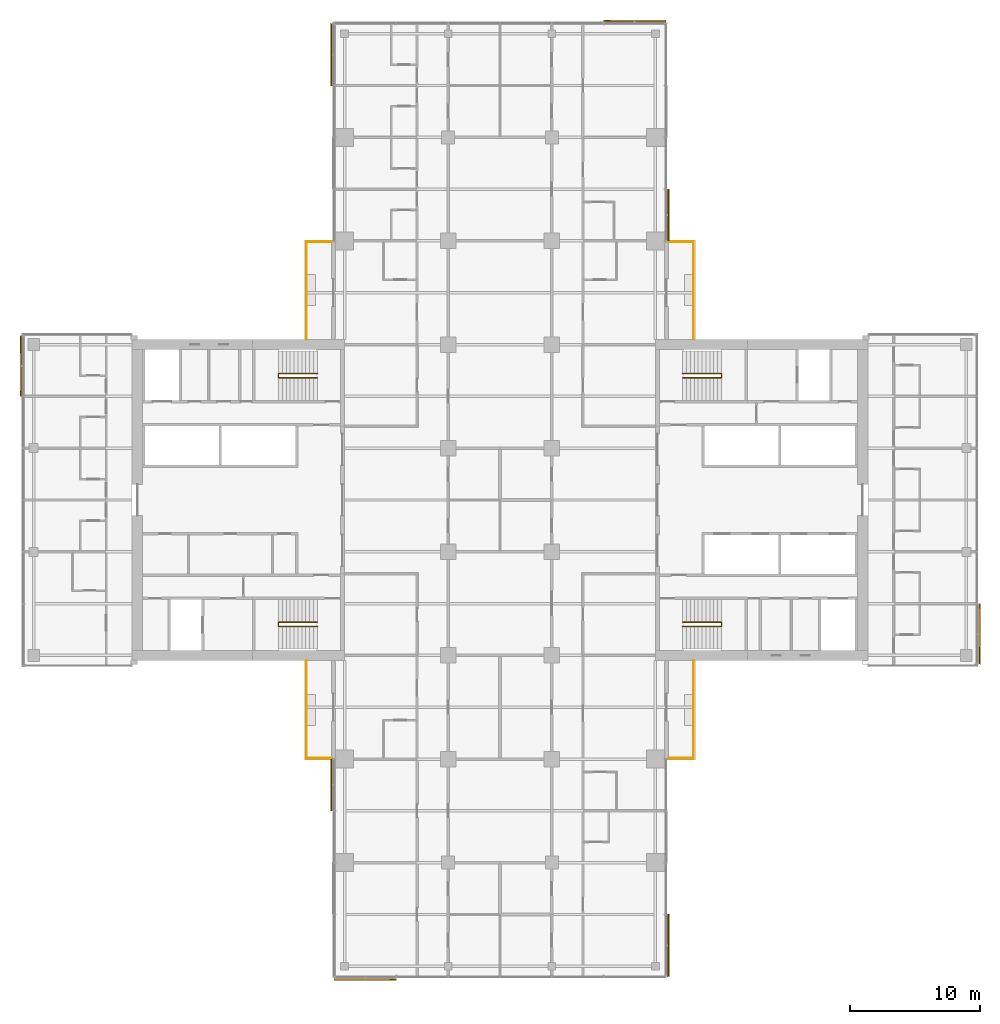
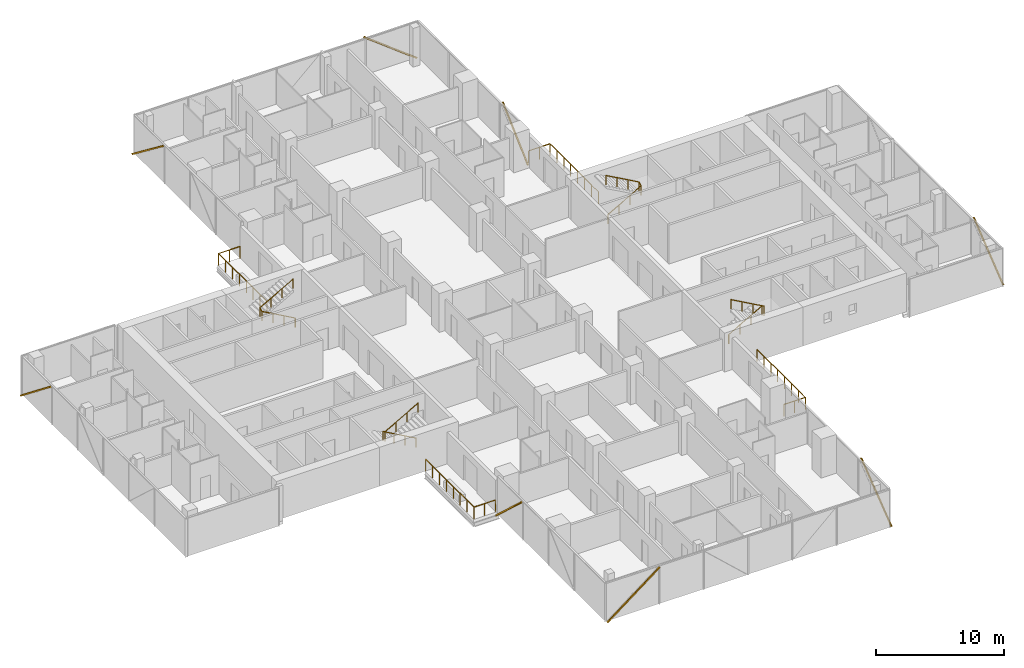
# One storey, part 27 of 27: 8 railings, 8 shading devices, 8 elements without a shape of their own.
"""IFC4 building model written with IfcOpenShell, lengths in metres."""

from ifc_helpers import new_model, si_unit, direction, frame, origin, origin_2d, place, context, subcontext, project, spatial, rectangle, circle, extrude, material, material_profile, profile_set, type_object, element, aggregate, save


model = new_model("IFC4")

# Units and contexts
model_context = context("Model", 3, precision=1e-05, world=origin(), true_north=direction((0.0, 1.0)))
body_context = subcontext(model_context, "Body", "Model", "MODEL_VIEW")
ifc_project = project(units=[si_unit("LENGTHUNIT", "METRE"), si_unit("AREAUNIT", "SQUARE_METRE"), si_unit("VOLUMEUNIT", "CUBIC_METRE"), si_unit("PLANEANGLEUNIT", "RADIAN"), si_unit("MASSUNIT", "GRAM", prefix="KILO")], contexts=[model_context])

# Site, building, storey
site_placement = place(None, origin())
site = spatial("IfcSite", under=ifc_project, at=site_placement, CompositionType="ELEMENT")
building_placement = place(site_placement, origin())
building = spatial("IfcBuilding", under=site, at=building_placement, Name="Crosswind Convention Tower", CompositionType="ELEMENT")
storey_placement = place(building_placement, frame((0.0, 0.0, 86.800048828125)))
storey = spatial("IfcBuildingStorey", under=building, at=storey_placement, Name="L16", CompositionType="ELEMENT", Elevation=86.800048828125)

# Railings
ifc_material_1 = material(Name="Steel and laminated glass balustrade", Category="steel")
railing_type_1 = type_object("IfcRailingType", Name="BALCONY BALUSTRADE 1150", PredefinedType="BALUSTRADE", material=ifc_material_1)
railing_1_placement = place(storey_placement, frame((139.93994140625, 112.39990234375, 0.0)))
element("IfcRailing", 1, at=railing_1_placement, inside=storey, type_object=railing_type_1, Name="R11 balcony balustrade L16 N-E.1-1", PredefinedType="BALUSTRADE", context=body_context, shape_type="SweptSolid", body=[
    extrude(circle(Radius=0.02392578125, at=origin_2d()), frame((0.0, 0.0, 1.1259765625), z_axis=(0.0, 1.0, 0.0), x_axis=(-1.0, 0.0, 0.0)), (0.0, 0.0, 1.0), 7.5400390625),
    extrude(circle(Radius=0.02392578125, at=origin_2d()), frame((0.0, 7.5400390625, 1.1259765625), z_axis=(-1.0, 0.0, 0.0), x_axis=(0.0, -1.0, 0.0)), (0.0, 0.0, 1.0), 1.9189453125),
    extrude(circle(Radius=0.02099609375, at=origin_2d()), origin(), (0.0, 0.0, 1.0), 1.101806640625),
    extrude(circle(Radius=0.02099609375, at=origin_2d()), frame((0.0, 1.0771484375, 0.0)), (0.0, 0.0, 1.0), 1.101806640625),
    extrude(circle(Radius=0.02099609375, at=origin_2d()), frame((0.0, 2.154296875, 0.0)), (0.0, 0.0, 1.0), 1.101806640625),
    extrude(circle(Radius=0.02099609375, at=origin_2d()), frame((0.0, 3.2314453125, 0.0)), (0.0, 0.0, 1.0), 1.101806640625),
    extrude(circle(Radius=0.02099609375, at=origin_2d()), frame((0.0, 4.30859375, 0.0)), (0.0, 0.0, 1.0), 1.101806640625),
    extrude(circle(Radius=0.02099609375, at=origin_2d()), frame((0.0, 5.3857421875, 0.0)), (0.0, 0.0, 1.0), 1.101806640625),
    extrude(circle(Radius=0.02099609375, at=origin_2d()), frame((0.0, 6.462890625, 0.0)), (0.0, 0.0, 1.0), 1.101806640625),
    extrude(circle(Radius=0.02099609375, at=origin_2d()), frame((0.0, 7.5400390625, 0.0)), (0.0, 0.0, 1.0), 1.101806640625),
    extrude(circle(Radius=0.02099609375, at=origin_2d()), frame((-0.95947265625, 7.5400390625, 0.0)), (0.0, 0.0, 1.0), 1.101806640625),
    extrude(circle(Radius=0.02099609375, at=origin_2d()), frame((-1.9189453125, 7.5400390625, 0.0)), (0.0, 0.0, 1.0), 1.101806640625),
])
railing_2_placement = place(storey_placement, frame((110.06005859375, 112.39990234375, 0.0)))
element("IfcRailing", 2, at=railing_2_placement, inside=storey, type_object=railing_type_1, Name="R11 balcony balustrade L16 N-W.1-3", PredefinedType="BALUSTRADE", context=body_context, shape_type="SweptSolid", body=[
    extrude(circle(Radius=0.02392578125, at=origin_2d()), frame((0.0, 0.0, 1.1259765625), z_axis=(0.0, 1.0, 0.0), x_axis=(-1.0, 0.0, 0.0)), (0.0, 0.0, 1.0), 7.5400390625),
    extrude(circle(Radius=0.02392578125, at=origin_2d()), frame((0.0, 7.5400390625, 1.1259765625), z_axis=(1.0, 0.0, 0.0), x_axis=(0.0, 1.0, 0.0)), (0.0, 0.0, 1.0), 1.9189453125),
    extrude(circle(Radius=0.02099609375, at=origin_2d()), origin(), (0.0, 0.0, 1.0), 1.101806640625),
    extrude(circle(Radius=0.02099609375, at=origin_2d()), frame((0.0, 1.0771484375, 0.0)), (0.0, 0.0, 1.0), 1.101806640625),
    extrude(circle(Radius=0.02099609375, at=origin_2d()), frame((0.0, 2.154296875, 0.0)), (0.0, 0.0, 1.0), 1.101806640625),
    extrude(circle(Radius=0.02099609375, at=origin_2d()), frame((0.0, 3.2314453125, 0.0)), (0.0, 0.0, 1.0), 1.101806640625),
    extrude(circle(Radius=0.02099609375, at=origin_2d()), frame((0.0, 4.30859375, 0.0)), (0.0, 0.0, 1.0), 1.101806640625),
    extrude(circle(Radius=0.02099609375, at=origin_2d()), frame((0.0, 5.3857421875, 0.0)), (0.0, 0.0, 1.0), 1.101806640625),
    extrude(circle(Radius=0.02099609375, at=origin_2d()), frame((0.0, 6.462890625, 0.0)), (0.0, 0.0, 1.0), 1.101806640625),
    extrude(circle(Radius=0.02099609375, at=origin_2d()), frame((0.0, 7.5400390625, 0.0)), (0.0, 0.0, 1.0), 1.101806640625),
    extrude(circle(Radius=0.02099609375, at=origin_2d()), frame((0.95947265625, 7.5400390625, 0.0)), (0.0, 0.0, 1.0), 1.101806640625),
    extrude(circle(Radius=0.02099609375, at=origin_2d()), frame((1.9189453125, 7.5400390625, 0.0)), (0.0, 0.0, 1.0), 1.101806640625),
])
railing_3_placement = place(storey_placement, frame((110.06005859375, 87.60009765625, 0.0)))
element("IfcRailing", 3, at=railing_3_placement, inside=storey, type_object=railing_type_1, Name="R11 balcony balustrade L16 S-W.1-1", PredefinedType="BALUSTRADE", context=body_context, shape_type="SweptSolid", body=[
    extrude(circle(Radius=0.02392578125, at=origin_2d()), frame((0.0, 0.0, 1.1259765625), z_axis=(0.0, -1.0, 0.0), x_axis=(1.0, 0.0, 0.0)), (0.0, 0.0, 1.0), 7.5400390625),
    extrude(circle(Radius=0.02392578125, at=origin_2d()), frame((0.0, -7.5400390625, 1.1259765625), z_axis=(1.0, 0.0, 0.0), x_axis=(0.0, 1.0, 0.0)), (0.0, 0.0, 1.0), 1.9189453125),
    extrude(circle(Radius=0.02099609375, at=origin_2d()), origin(), (0.0, 0.0, 1.0), 1.101806640625),
    extrude(circle(Radius=0.02099609375, at=origin_2d()), frame((0.0, -1.0771484375, 0.0)), (0.0, 0.0, 1.0), 1.101806640625),
    extrude(circle(Radius=0.02099609375, at=origin_2d()), frame((0.0, -2.154296875, 0.0)), (0.0, 0.0, 1.0), 1.101806640625),
    extrude(circle(Radius=0.02099609375, at=origin_2d()), frame((0.0, -3.2314453125, 0.0)), (0.0, 0.0, 1.0), 1.101806640625),
    extrude(circle(Radius=0.02099609375, at=origin_2d()), frame((0.0, -4.30859375, 0.0)), (0.0, 0.0, 1.0), 1.101806640625),
    extrude(circle(Radius=0.02099609375, at=origin_2d()), frame((0.0, -5.3857421875, 0.0)), (0.0, 0.0, 1.0), 1.101806640625),
    extrude(circle(Radius=0.02099609375, at=origin_2d()), frame((0.0, -6.462890625, 0.0)), (0.0, 0.0, 1.0), 1.101806640625),
    extrude(circle(Radius=0.02099609375, at=origin_2d()), frame((0.0, -7.5400390625, 0.0)), (0.0, 0.0, 1.0), 1.101806640625),
    extrude(circle(Radius=0.02099609375, at=origin_2d()), frame((0.95947265625, -7.5400390625, 0.0)), (0.0, 0.0, 1.0), 1.101806640625),
    extrude(circle(Radius=0.02099609375, at=origin_2d()), frame((1.9189453125, -7.5400390625, 0.0)), (0.0, 0.0, 1.0), 1.101806640625),
])
railing_4_placement = place(storey_placement, frame((139.93994140625, 87.60009765625, 0.0)))
element("IfcRailing", 4, at=railing_4_placement, inside=storey, type_object=railing_type_1, Name="R11 balcony balustrade L16 S-E.1-3", PredefinedType="BALUSTRADE", context=body_context, shape_type="SweptSolid", body=[
    extrude(circle(Radius=0.02392578125, at=origin_2d()), frame((0.0, 0.0, 1.1259765625), z_axis=(0.0, -1.0, 0.0), x_axis=(1.0, 0.0, 0.0)), (0.0, 0.0, 1.0), 7.5400390625),
    extrude(circle(Radius=0.02392578125, at=origin_2d()), frame((0.0, -7.5400390625, 1.1259765625), z_axis=(-1.0, 0.0, 0.0), x_axis=(0.0, -1.0, 0.0)), (0.0, 0.0, 1.0), 1.9189453125),
    extrude(circle(Radius=0.02099609375, at=origin_2d()), origin(), (0.0, 0.0, 1.0), 1.101806640625),
    extrude(circle(Radius=0.02099609375, at=origin_2d()), frame((0.0, -1.0771484375, 0.0)), (0.0, 0.0, 1.0), 1.101806640625),
    extrude(circle(Radius=0.02099609375, at=origin_2d()), frame((0.0, -2.154296875, 0.0)), (0.0, 0.0, 1.0), 1.101806640625),
    extrude(circle(Radius=0.02099609375, at=origin_2d()), frame((0.0, -3.2314453125, 0.0)), (0.0, 0.0, 1.0), 1.101806640625),
    extrude(circle(Radius=0.02099609375, at=origin_2d()), frame((0.0, -4.30859375, 0.0)), (0.0, 0.0, 1.0), 1.101806640625),
    extrude(circle(Radius=0.02099609375, at=origin_2d()), frame((0.0, -5.3857421875, 0.0)), (0.0, 0.0, 1.0), 1.101806640625),
    extrude(circle(Radius=0.02099609375, at=origin_2d()), frame((0.0, -6.462890625, 0.0)), (0.0, 0.0, 1.0), 1.101806640625),
    extrude(circle(Radius=0.02099609375, at=origin_2d()), frame((0.0, -7.5400390625, 0.0)), (0.0, 0.0, 1.0), 1.101806640625),
    extrude(circle(Radius=0.02099609375, at=origin_2d()), frame((-0.95947265625, -7.5400390625, 0.0)), (0.0, 0.0, 1.0), 1.101806640625),
    extrude(circle(Radius=0.02099609375, at=origin_2d()), frame((-1.9189453125, -7.5400390625, 0.0)), (0.0, 0.0, 1.0), 1.101806640625),
])
ifc_material_2 = material(Name="Stainless steel", Category="steel")
railing_type_2 = type_object("IfcRailingType", Name="Stair handrail 900", PredefinedType="HANDRAIL", material=ifc_material_2)
railing_5_placement = place(storey_placement, frame((139.10009765625, 109.43994140625, 0.168212890625)))
element("IfcRailing", 5, at=railing_5_placement, inside=storey, type_object=railing_type_2, Name="Stair ST1 handrail L16", PredefinedType="HANDRAIL", context=body_context, shape_type="SweptSolid", body=[
    extrude(circle(Radius=0.02392578125, at=origin_2d()), frame((0.0, 0.0, 0.8759765625), z_axis=(0.872302573547, 0.0, 0.488966481656), x_axis=(0.0, 1.0, 0.0)), (0.0, 0.0, 1.0), 3.439208984375),
    extrude(circle(Radius=0.02392578125, at=origin_2d()), frame((3.0, 0.0, 2.5576171875), z_axis=(0.0, 0.885196349292, 0.465217608438), x_axis=(-1.0, 0.0, 0.0)), (0.0, 0.0, 1.0), 0.361572265625),
    extrude(circle(Radius=0.02392578125, at=origin_2d()), frame((3.0, 0.320068359375, 2.7255859375), z_axis=(-0.872272294576, 0.0, 0.489020494575), x_axis=(0.0, -1.0, 0.0)), (0.0, 0.0, 1.0), 3.439208984375),
    extrude(circle(Radius=0.02099609375, at=origin_2d()), origin(), (0.0, 0.0, 1.0), 0.851806640625),
    extrude(circle(Radius=0.02099609375, at=origin_2d()), frame((1.0, 0.0, 0.560546875)), (0.0, 0.0, 1.0), 0.851806640625),
    extrude(circle(Radius=0.02099609375, at=origin_2d()), frame((2.0, 0.0, 1.12109375)), (0.0, 0.0, 1.0), 0.851806640625),
    extrude(circle(Radius=0.02099609375, at=origin_2d()), frame((3.0, 0.0, 1.681640625)), (0.0, 0.0, 1.0), 0.851806640625),
    extrude(circle(Radius=0.02099609375, at=origin_2d()), frame((3.0, 0.320068359375, 1.849853515625)), (0.0, 0.0, 1.0), 0.851806640625),
    extrude(circle(Radius=0.02099609375, at=origin_2d()), frame((2.0, 0.320068359375, 2.410400390625)), (0.0, 0.0, 1.0), 0.851806640625),
    extrude(circle(Radius=0.02099609375, at=origin_2d()), frame((1.0, 0.320068359375, 2.97119140625)), (0.0, 0.0, 1.0), 0.851806640625),
    extrude(circle(Radius=0.02099609375, at=origin_2d()), frame((0.0, 0.320068359375, 3.53173828125)), (0.0, 0.0, 1.0), 0.851806640625),
])
railing_6_placement = place(storey_placement, frame((139.10009765625, 90.56005859375, 0.168212890625)))
element("IfcRailing", 6, at=railing_6_placement, inside=storey, type_object=railing_type_2, Name="Stair ST2 handrail L16", PredefinedType="HANDRAIL", context=body_context, shape_type="SweptSolid", body=[
    extrude(circle(Radius=0.02392578125, at=origin_2d()), frame((0.0, 0.0, 0.8759765625), z_axis=(0.872302573547, 0.0, 0.488966481656), x_axis=(0.0, 1.0, 0.0)), (0.0, 0.0, 1.0), 3.439208984375),
    extrude(circle(Radius=0.02392578125, at=origin_2d()), frame((3.0, 0.0, 2.5576171875), z_axis=(0.0, -0.885196349292, 0.465217608438), x_axis=(1.0, 0.0, 0.0)), (0.0, 0.0, 1.0), 0.361572265625),
    extrude(circle(Radius=0.02392578125, at=origin_2d()), frame((3.0, -0.320068359375, 2.7255859375), z_axis=(-0.872272294576, 0.0, 0.489020494575), x_axis=(0.0, -1.0, 0.0)), (0.0, 0.0, 1.0), 3.439208984375),
    extrude(circle(Radius=0.02099609375, at=origin_2d()), origin(), (0.0, 0.0, 1.0), 0.851806640625),
    extrude(circle(Radius=0.02099609375, at=origin_2d()), frame((1.0, 0.0, 0.560546875)), (0.0, 0.0, 1.0), 0.851806640625),
    extrude(circle(Radius=0.02099609375, at=origin_2d()), frame((2.0, 0.0, 1.12109375)), (0.0, 0.0, 1.0), 0.851806640625),
    extrude(circle(Radius=0.02099609375, at=origin_2d()), frame((3.0, 0.0, 1.681640625)), (0.0, 0.0, 1.0), 0.851806640625),
    extrude(circle(Radius=0.02099609375, at=origin_2d()), frame((3.0, -0.320068359375, 1.849853515625)), (0.0, 0.0, 1.0), 0.851806640625),
    extrude(circle(Radius=0.02099609375, at=origin_2d()), frame((2.0, -0.320068359375, 2.410400390625)), (0.0, 0.0, 1.0), 0.851806640625),
    extrude(circle(Radius=0.02099609375, at=origin_2d()), frame((1.0, -0.320068359375, 2.97119140625)), (0.0, 0.0, 1.0), 0.851806640625),
    extrude(circle(Radius=0.02099609375, at=origin_2d()), frame((0.0, -0.320068359375, 3.53173828125)), (0.0, 0.0, 1.0), 0.851806640625),
])
railing_7_placement = place(storey_placement, frame((110.89990234375, 90.56005859375, 0.168212890625)))
element("IfcRailing", 7, at=railing_7_placement, inside=storey, type_object=railing_type_2, Name="Stair ST3 handrail L16", PredefinedType="HANDRAIL", context=body_context, shape_type="SweptSolid", body=[
    extrude(circle(Radius=0.02392578125, at=origin_2d()), frame((0.0, 0.0, 0.8759765625), z_axis=(-0.872302573547, 0.0, 0.488966481656), x_axis=(0.0, -1.0, 0.0)), (0.0, 0.0, 1.0), 3.439208984375),
    extrude(circle(Radius=0.02392578125, at=origin_2d()), frame((-3.0, 0.0, 2.5576171875), z_axis=(0.0, -0.885196349292, 0.465217608438), x_axis=(1.0, 0.0, 0.0)), (0.0, 0.0, 1.0), 0.361572265625),
    extrude(circle(Radius=0.02392578125, at=origin_2d()), frame((-3.0, -0.320068359375, 2.7255859375), z_axis=(0.872272294576, 0.0, 0.489020494575), x_axis=(0.0, 1.0, 0.0)), (0.0, 0.0, 1.0), 3.439208984375),
    extrude(circle(Radius=0.02099609375, at=origin_2d()), origin(), (0.0, 0.0, 1.0), 0.851806640625),
    extrude(circle(Radius=0.02099609375, at=origin_2d()), frame((-1.0, 0.0, 0.560546875)), (0.0, 0.0, 1.0), 0.851806640625),
    extrude(circle(Radius=0.02099609375, at=origin_2d()), frame((-2.0, 0.0, 1.12109375)), (0.0, 0.0, 1.0), 0.851806640625),
    extrude(circle(Radius=0.02099609375, at=origin_2d()), frame((-3.0, 0.0, 1.681640625)), (0.0, 0.0, 1.0), 0.851806640625),
    extrude(circle(Radius=0.02099609375, at=origin_2d()), frame((-3.0, -0.320068359375, 1.849853515625)), (0.0, 0.0, 1.0), 0.851806640625),
    extrude(circle(Radius=0.02099609375, at=origin_2d()), frame((-2.0, -0.320068359375, 2.410400390625)), (0.0, 0.0, 1.0), 0.851806640625),
    extrude(circle(Radius=0.02099609375, at=origin_2d()), frame((-1.0, -0.320068359375, 2.97119140625)), (0.0, 0.0, 1.0), 0.851806640625),
    extrude(circle(Radius=0.02099609375, at=origin_2d()), frame((0.0, -0.320068359375, 3.53173828125)), (0.0, 0.0, 1.0), 0.851806640625),
])
railing_8_placement = place(storey_placement, frame((110.89990234375, 109.43994140625, 0.168212890625)))
element("IfcRailing", 8, at=railing_8_placement, inside=storey, type_object=railing_type_2, Name="Stair ST4 handrail L16", PredefinedType="HANDRAIL", context=body_context, shape_type="SweptSolid", body=[
    extrude(circle(Radius=0.02392578125, at=origin_2d()), frame((0.0, 0.0, 0.8759765625), z_axis=(-0.872302573547, 0.0, 0.488966481656), x_axis=(0.0, -1.0, 0.0)), (0.0, 0.0, 1.0), 3.439208984375),
    extrude(circle(Radius=0.02392578125, at=origin_2d()), frame((-3.0, 0.0, 2.5576171875), z_axis=(0.0, 0.885196349292, 0.465217608438), x_axis=(-1.0, 0.0, 0.0)), (0.0, 0.0, 1.0), 0.361572265625),
    extrude(circle(Radius=0.02392578125, at=origin_2d()), frame((-3.0, 0.320068359375, 2.7255859375), z_axis=(0.872272294576, 0.0, 0.489020494575), x_axis=(0.0, 1.0, 0.0)), (0.0, 0.0, 1.0), 3.439208984375),
    extrude(circle(Radius=0.02099609375, at=origin_2d()), origin(), (0.0, 0.0, 1.0), 0.851806640625),
    extrude(circle(Radius=0.02099609375, at=origin_2d()), frame((-1.0, 0.0, 0.560546875)), (0.0, 0.0, 1.0), 0.851806640625),
    extrude(circle(Radius=0.02099609375, at=origin_2d()), frame((-2.0, 0.0, 1.12109375)), (0.0, 0.0, 1.0), 0.851806640625),
    extrude(circle(Radius=0.02099609375, at=origin_2d()), frame((-3.0, 0.0, 1.681640625)), (0.0, 0.0, 1.0), 0.851806640625),
    extrude(circle(Radius=0.02099609375, at=origin_2d()), frame((-3.0, 0.320068359375, 1.849853515625)), (0.0, 0.0, 1.0), 0.851806640625),
    extrude(circle(Radius=0.02099609375, at=origin_2d()), frame((-2.0, 0.320068359375, 2.410400390625)), (0.0, 0.0, 1.0), 0.851806640625),
    extrude(circle(Radius=0.02099609375, at=origin_2d()), frame((-1.0, 0.320068359375, 2.97119140625)), (0.0, 0.0, 1.0), 0.851806640625),
    extrude(circle(Radius=0.02099609375, at=origin_2d()), frame((0.0, 0.320068359375, 3.53173828125)), (0.0, 0.0, 1.0), 0.851806640625),
])

# Curtain wall, shading device
ifc_material_3 = material(Name="Aluminium unitised curtain wall", Category="aluminium")
curtain_wall_type = type_object("IfcCurtainWallType", Name="HOTEL UNITISED WALL 200", PredefinedType="USERDEFINED", material=ifc_material_3)
curtain_wall_1_placement = place(storey_placement, origin())
curtain_wall_1 = element("IfcCurtainWall", 9, at=curtain_wall_1_placement, inside=storey, type_object=curtain_wall_type, Name="CW2 L16 E-TIP 1", ObjectType="UNITISED", PredefinedType="USERDEFINED")
ifc_material_4 = material(Name="Extruded terracotta", Category="masonry")
ifc_material_profile = material_profile(ifc_material_4, rectangle(XDim=0.10009765625, YDim=0.1201171875, at=origin_2d()), Name="TC 100X120")
ifc_profile_set = profile_set([ifc_material_profile], Name="Extruded terracotta")
shading_device_type = type_object("IfcShadingDeviceType", Name="TERRACOTTA BAGUETTE 120X100", PredefinedType="USERDEFINED", material=ifc_profile_set)
shading_device_1_placement = place(storey_placement, frame((162.008056640625, 87.364990234375, -0.280029296875), z_axis=(0.0, 0.784764474718, 0.619794094212), x_axis=(-1.0, 0.0, 0.0)))
shading_device_1 = element("IfcShadingDevice", 10, at=shading_device_1_placement, type_object=shading_device_type, Name="CW2 terracotta baguette 1", ObjectType="BAGUETTE", PredefinedType="USERDEFINED", context=body_context, shape_type="SweptSolid", body=[
    extrude(rectangle(XDim=0.10009765625, YDim=0.1201171875, at=origin_2d()), origin(), (0.0, 0.0, 1.0), 5.86474609375),
])
aggregate(curtain_wall_1, [shading_device_1])

curtain_wall_2_placement = place(storey_placement, origin())
curtain_wall_2 = element("IfcCurtainWall", 11, at=curtain_wall_2_placement, inside=storey, type_object=curtain_wall_type, Name="CW2 L16 N-E 1", ObjectType="UNITISED", PredefinedType="USERDEFINED")
shading_device_2_placement = place(storey_placement, frame((138.008056640625, 120.032470703125, -0.280029296875), z_axis=(0.0, 0.734557036047, 0.678546948114), x_axis=(-1.0, 0.0, 0.0)))
shading_device_2 = element("IfcShadingDevice", 12, at=shading_device_2_placement, type_object=shading_device_type, Name="CW2 terracotta baguette 1", ObjectType="BAGUETTE", PredefinedType="USERDEFINED", context=body_context, shape_type="SweptSolid", body=[
    extrude(rectangle(XDim=0.10009765625, YDim=0.1201171875, at=origin_2d()), origin(), (0.0, 0.0, 1.0), 5.35693359375),
])
aggregate(curtain_wall_2, [shading_device_2])

curtain_wall_3_placement = place(storey_placement, origin())
curtain_wall_3 = element("IfcCurtainWall", 13, at=curtain_wall_3_placement, inside=storey, type_object=curtain_wall_type, Name="CW2 L16 N-TIP 1", ObjectType="UNITISED", PredefinedType="USERDEFINED")
shading_device_3_placement = place(storey_placement, frame((137.767578125, 137.008056640625, -0.280029296875), z_axis=(-0.793221117913, 0.0, 0.608933705831), x_axis=(0.0, -1.0, 0.0)))
shading_device_3 = element("IfcShadingDevice", 14, at=shading_device_3_placement, type_object=shading_device_type, Name="CW2 terracotta baguette 1", ObjectType="BAGUETTE", PredefinedType="USERDEFINED", context=body_context, shape_type="SweptSolid", body=[
    extrude(rectangle(XDim=0.10009765625, YDim=0.1201171875, at=origin_2d()), origin(), (0.0, 0.0, 1.0), 5.969482421875),
])
aggregate(curtain_wall_3, [shading_device_3])

curtain_wall_4_placement = place(storey_placement, origin())
curtain_wall_4 = element("IfcCurtainWall", 15, at=curtain_wall_4_placement, inside=storey, type_object=curtain_wall_type, Name="CW2 L16 N-W 1", ObjectType="UNITISED", PredefinedType="USERDEFINED")
shading_device_4_placement = place(storey_placement, frame((111.991943359375, 136.767578125, -0.280029296875), z_axis=(0.0, -0.793221117913, 0.608933705831), x_axis=(1.0, 0.0, 0.0)))
shading_device_4 = element("IfcShadingDevice", 16, at=shading_device_4_placement, type_object=shading_device_type, Name="CW2 terracotta baguette 1", ObjectType="BAGUETTE", PredefinedType="USERDEFINED", context=body_context, shape_type="SweptSolid", body=[
    extrude(rectangle(XDim=0.10009765625, YDim=0.1201171875, at=origin_2d()), origin(), (0.0, 0.0, 1.0), 5.969482421875),
])
aggregate(curtain_wall_4, [shading_device_4])

curtain_wall_5_placement = place(storey_placement, origin())
curtain_wall_5 = element("IfcCurtainWall", 17, at=curtain_wall_5_placement, inside=storey, type_object=curtain_wall_type, Name="CW2 L16 W-TIP 1", ObjectType="UNITISED", PredefinedType="USERDEFINED")
shading_device_5_placement = place(storey_placement, frame((87.991943359375, 112.635009765625, -0.280029296875), z_axis=(0.0, -0.784764474718, 0.619794094212), x_axis=(1.0, 0.0, 0.0)))
shading_device_5 = element("IfcShadingDevice", 18, at=shading_device_5_placement, type_object=shading_device_type, Name="CW2 terracotta baguette 1", ObjectType="BAGUETTE", PredefinedType="USERDEFINED", context=body_context, shape_type="SweptSolid", body=[
    extrude(rectangle(XDim=0.10009765625, YDim=0.1201171875, at=origin_2d()), origin(), (0.0, 0.0, 1.0), 5.86474609375),
])
aggregate(curtain_wall_5, [shading_device_5])

curtain_wall_6_placement = place(storey_placement, origin())
curtain_wall_6 = element("IfcCurtainWall", 19, at=curtain_wall_6_placement, inside=storey, type_object=curtain_wall_type, Name="CW2 L16 S-W 1", ObjectType="UNITISED", PredefinedType="USERDEFINED")
shading_device_6_placement = place(storey_placement, frame((111.991943359375, 79.967529296875, -0.280029296875), z_axis=(0.0, -0.734557036047, 0.678546948114), x_axis=(1.0, 0.0, 0.0)))
shading_device_6 = element("IfcShadingDevice", 20, at=shading_device_6_placement, type_object=shading_device_type, Name="CW2 terracotta baguette 1", ObjectType="BAGUETTE", PredefinedType="USERDEFINED", context=body_context, shape_type="SweptSolid", body=[
    extrude(rectangle(XDim=0.10009765625, YDim=0.1201171875, at=origin_2d()), origin(), (0.0, 0.0, 1.0), 5.35693359375),
])
aggregate(curtain_wall_6, [shading_device_6])

curtain_wall_7_placement = place(storey_placement, origin())
curtain_wall_7 = element("IfcCurtainWall", 21, at=curtain_wall_7_placement, inside=storey, type_object=curtain_wall_type, Name="CW2 L16 S-TIP 1", ObjectType="UNITISED", PredefinedType="USERDEFINED")
shading_device_7_placement = place(storey_placement, frame((112.232421875, 62.991943359375, -0.280029296875), z_axis=(0.793221117913, 0.0, 0.608933705831), x_axis=(0.0, 1.0, 0.0)))
shading_device_7 = element("IfcShadingDevice", 22, at=shading_device_7_placement, type_object=shading_device_type, Name="CW2 terracotta baguette 1", ObjectType="BAGUETTE", PredefinedType="USERDEFINED", context=body_context, shape_type="SweptSolid", body=[
    extrude(rectangle(XDim=0.10009765625, YDim=0.1201171875, at=origin_2d()), origin(), (0.0, 0.0, 1.0), 5.969482421875),
])
aggregate(curtain_wall_7, [shading_device_7])

curtain_wall_8_placement = place(storey_placement, origin())
curtain_wall_8 = element("IfcCurtainWall", 23, at=curtain_wall_8_placement, inside=storey, type_object=curtain_wall_type, Name="CW2 L16 S-E 1", ObjectType="UNITISED", PredefinedType="USERDEFINED")
shading_device_8_placement = place(storey_placement, frame((138.008056640625, 63.232421875, -0.280029296875), z_axis=(0.0, 0.793221117913, 0.608933705831), x_axis=(-1.0, 0.0, 0.0)))
shading_device_8 = element("IfcShadingDevice", 24, at=shading_device_8_placement, type_object=shading_device_type, Name="CW2 terracotta baguette 1", ObjectType="BAGUETTE", PredefinedType="USERDEFINED", context=body_context, shape_type="SweptSolid", body=[
    extrude(rectangle(XDim=0.10009765625, YDim=0.1201171875, at=origin_2d()), origin(), (0.0, 0.0, 1.0), 5.969482421875),
])
aggregate(curtain_wall_8, [shading_device_8])

save(model, "model.ifc")
